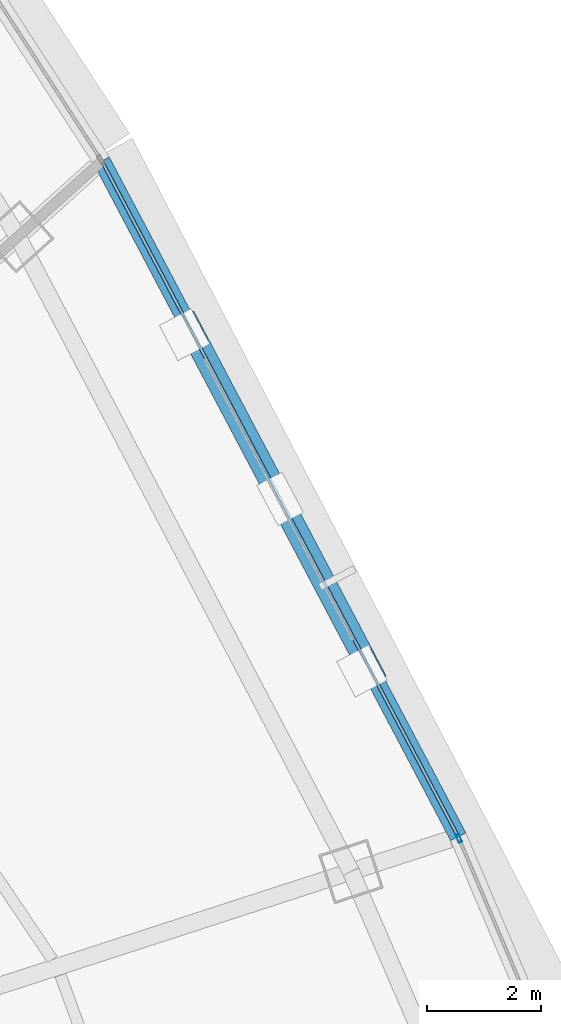
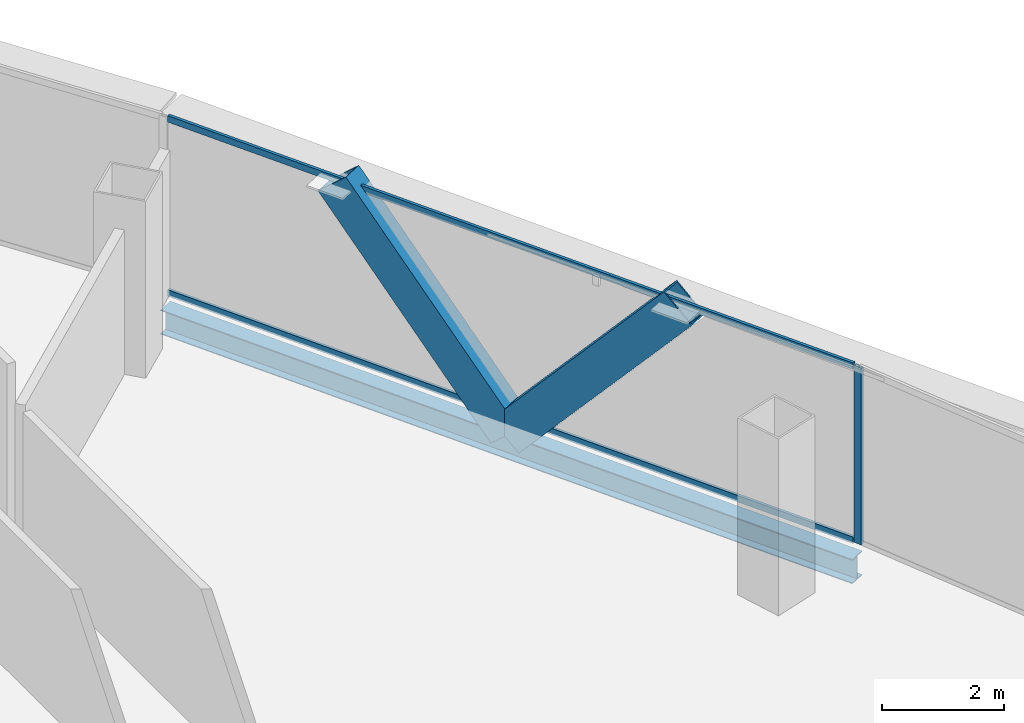
# One storey, part 26 of 37: 5 members, 1 beam, 2 elements without a shape of their own.
"""IFC4 building model written with IfcOpenShell, lengths in metres."""

from ifc_helpers import new_model, si_unit, direction, frame, origin, origin_2d, place, context, subcontext, project, spatial, hollow_rectangle, i_section, extrude, source, transform, mapped, material, layer, layer_set, material_profile, profile_set, type_object, element, aggregate, save


model = new_model("IFC4")

# Units and contexts
model_context = context("Model", 3, precision=1e-05, world=origin(), true_north=direction((0.0, 1.0)))
body_context = subcontext(model_context, "Body", "Model", "MODEL_VIEW")
ifc_project = project(units=[si_unit("LENGTHUNIT", "METRE"), si_unit("AREAUNIT", "SQUARE_METRE"), si_unit("VOLUMEUNIT", "CUBIC_METRE"), si_unit("PLANEANGLEUNIT", "RADIAN"), si_unit("MASSUNIT", "GRAM", prefix="KILO"), si_unit("THERMODYNAMICTEMPERATUREUNIT", "KELVIN"), si_unit("POWERUNIT", "WATT")], contexts=[model_context])

# Site, building, storey
site_placement = place(None, origin())
site = spatial("IfcSite", under=ifc_project, at=site_placement, CompositionType="ELEMENT")
building_placement = place(site_placement, origin())
building = spatial("IfcBuilding", under=site, at=building_placement, Name="Yunzhuo Pagoda Commons", CompositionType="ELEMENT")
storey_placement = place(building_placement, frame((0.0, 0.0, 199.9599609375)))
storey = spatial("IfcBuildingStorey", under=building, at=storey_placement, Name="L50", CompositionType="ELEMENT", Elevation=199.9599609375)

# Beam
ifc_material_1 = material(Name="Structural steel Q355B", Category="steel")
ifc_material_profile_1 = material_profile(ifc_material_1, i_section(OverallWidth=0.300048828125, OverallDepth=0.488037109375, WebThickness=0.010986328125, FlangeThickness=0.01806640625, at=origin_2d()), Name="Structural steel Q355B")
ifc_profile_set_1 = profile_set([ifc_material_profile_1], Name="Structural steel Q355B")
beam_type = type_object("IfcBeamType", Name="B-SP1 Beam HM 488x300x11x18", PredefinedType="BEAM", material=ifc_profile_set_1)
shared_shape_1 = source(origin(), body_context, "Body", "SweptSolid", [
    extrude(i_section(OverallWidth=0.300048828125, OverallDepth=0.488037109375, WebThickness=0.010986328125, FlangeThickness=0.01806640625, at=origin_2d()), origin(), (0.0, 0.0, 1.0), 13.399658203125),
])
beam_placement = place(storey_placement, frame((78.376220703125, 43.56982421875, -0.50390625), z_axis=(-0.466573749972, 0.884482298204, 0.0), x_axis=(-0.884482298204, -0.466573749972, 0.0)))
element("IfcBeam", 1, at=beam_placement, inside=storey, type_object=beam_type, Name="L50 facade edge spandrel beam F2.2", PredefinedType="BEAM", context=body_context, shape_type="MappedRepresentation", body=[
    mapped(shared_shape_1, transform((0.0, 0.0, 0.0), scale=1.0)),
])

# Members
ifc_material_profile_2 = material_profile(ifc_material_1, hollow_rectangle(XDim=0.39990234375, YDim=0.719970703125, WallThickness=0.02392578125, at=origin_2d()), Name="Structural steel Q355B")
ifc_profile_set_2 = profile_set([ifc_material_profile_2], Name="Structural steel Q355B")
member_type_1 = type_object("IfcMemberType", Name="M-DL2 Brace BOX 720x400x24", PredefinedType="BRACE", material=ifc_profile_set_2)
shared_shape_2 = source(origin(), body_context, "Body", "SweptSolid", [
    extrude(hollow_rectangle(XDim=0.39990234375, YDim=0.719970703125, WallThickness=0.02392578125, at=origin_2d()), origin(), (0.0, 0.0, 1.0), 5.065673828125),
])
member_1_placement = place(storey_placement, frame((75.250244140625, 49.495849609375, -0.260009765625), z_axis=(-0.30854783788, 0.584852860461, 0.750163557732), x_axis=(-0.884462464322, -0.466611347061, 0.0)))
element("IfcMember", 2, at=member_1_placement, inside=storey, type_object=member_type_1, Name="L50 facade diamond brace F2.2R", PredefinedType="BRACE", context=body_context, shape_type="MappedRepresentation", body=[
    mapped(shared_shape_2, transform((0.0, 0.0, 0.0), scale=1.0)),
])
shared_shape_3 = source(origin(), body_context, "Body", "SweptSolid", [
    extrude(hollow_rectangle(XDim=0.39990234375, YDim=0.719970703125, WallThickness=0.02392578125, at=origin_2d()), origin(), (0.0, 0.0, 1.0), 5.06591796875),
])
member_2_placement = place(storey_placement, frame((75.250244140625, 49.495849609375, -0.260009765625), z_axis=(0.308530443658, -0.584916275331, 0.750121267655), x_axis=(0.884494196233, 0.466551194223, 0.0)))
element("IfcMember", 3, at=member_2_placement, inside=storey, type_object=member_type_1, Name="L50 facade diamond brace F2.2L", PredefinedType="BRACE", context=body_context, shape_type="MappedRepresentation", body=[
    mapped(shared_shape_3, transform((0.0, 0.0, 0.0), scale=1.0)),
])

# Curtain wall, member
ifc_material_2 = material(Name="Anodized aluminium 6063-T6", Category="aluminium")
ifc_layer = layer(ifc_material_2, 0.14990234375)
ifc_layer_set = layer_set([ifc_layer], Name="Anodized aluminium 6063-T6")
curtain_wall_type = type_object("IfcCurtainWallType", Name="CW-MID Mid-Zone Ribbon Curtain Wall", PredefinedType="NOTDEFINED", material=ifc_layer_set)
curtain_wall_1_placement = place(storey_placement, origin())
curtain_wall_1 = element("IfcCurtainWall", 4, at=curtain_wall_1_placement, inside=storey, type_object=curtain_wall_type, Name="L50 curtain wall CW-L50-F2B2", PredefinedType="NOTDEFINED")
ifc_material_profile_3 = material_profile(ifc_material_2, hollow_rectangle(XDim=0.06005859375, YDim=0.14990234375, WallThickness=0.00390625, at=origin_2d()), Name="Anodized aluminium 6063-T6")
ifc_profile_set_3 = profile_set([ifc_material_profile_3], Name="Anodized aluminium 6063-T6")
member_type_2 = type_object("IfcMemberType", Name="CW-MID-M Mullion RHS 150x60x4", PredefinedType="MULLION", material=ifc_profile_set_3)
shared_shape_4 = source(origin(), body_context, "Body", "SweptSolid", [
    extrude(hollow_rectangle(XDim=0.06005859375, YDim=0.14990234375, WallThickness=0.00390625, at=origin_2d()), origin(), (0.0, 0.0, 1.0), 3.5400390625),
])
member_3_placement = place(storey_placement, frame((78.38818359375, 43.542236328125, 0.0), z_axis=(0.0, 0.0, 1.0), x_axis=(-0.920666607247, -0.390349840912, 0.0)))
member_3 = element("IfcMember", 5, at=member_3_placement, type_object=member_type_2, Name="CW mullion 2", PredefinedType="MULLION", context=body_context, shape_type="MappedRepresentation", body=[
    mapped(shared_shape_4, transform((0.0, 0.0, 0.0), scale=1.0)),
])
aggregate(curtain_wall_1, [member_3])

# Curtain wall, members
curtain_wall_2_placement = place(storey_placement, origin())
curtain_wall_2 = element("IfcCurtainWall", 6, at=curtain_wall_2_placement, inside=storey, type_object=curtain_wall_type, Name="L50 curtain wall CW-L50-F2B3", PredefinedType="NOTDEFINED")
ifc_material_profile_4 = material_profile(ifc_material_2, hollow_rectangle(XDim=0.054931640625, YDim=0.1298828125, WallThickness=0.00341796875, at=origin_2d()), Name="Anodized aluminium 6063-T6")
ifc_profile_set_4 = profile_set([ifc_material_profile_4], Name="Anodized aluminium 6063-T6")
member_type_3 = type_object("IfcMemberType", Name="CW-MID-T Transom RHS 130x55x3.5", PredefinedType="USERDEFINED", material=ifc_profile_set_4)
shared_shape_5 = source(origin(), body_context, "Body", "SweptSolid", [
    extrude(hollow_rectangle(XDim=0.054931640625, YDim=0.1298828125, WallThickness=0.00341796875, at=origin_2d()), origin(), (0.0, 0.0, 1.0), 13.280029296875),
])
member_4_placement = place(storey_placement, frame((78.348388671875, 43.622802734375, 0.027587890625), z_axis=(-0.46657288103, 0.88448275658, 0.0), x_axis=(-0.88448275658, -0.46657288103, 0.0)))
member_4 = element("IfcMember", 7, at=member_4_placement, type_object=member_type_3, Name="CW transom 1.1", ObjectType="TRANSOM", PredefinedType="USERDEFINED", context=body_context, shape_type="MappedRepresentation", body=[
    mapped(shared_shape_5, transform((0.0, 0.0, 0.0), scale=1.0)),
])
member_5_placement = place(storey_placement, frame((78.348388671875, 43.622802734375, 3.512451171875), z_axis=(-0.46657288103, 0.88448275658, 0.0), x_axis=(-0.88448275658, -0.46657288103, 0.0)))
member_5 = element("IfcMember", 8, at=member_5_placement, type_object=member_type_3, Name="CW transom 1.2", ObjectType="TRANSOM", PredefinedType="USERDEFINED", context=body_context, shape_type="MappedRepresentation", body=[
    mapped(shared_shape_5, transform((0.0, 0.0, 0.0), scale=1.0)),
])
aggregate(curtain_wall_2, [member_4, member_5])

save(model, "model.ifc")
